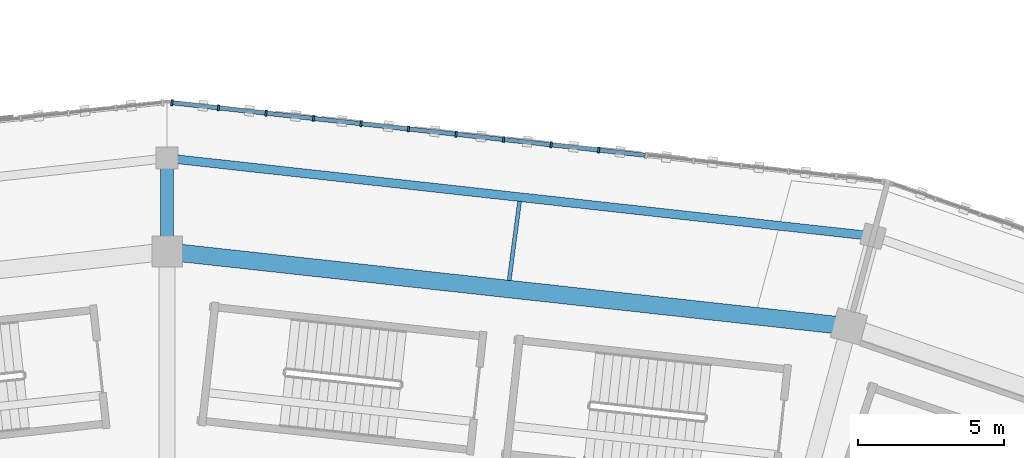
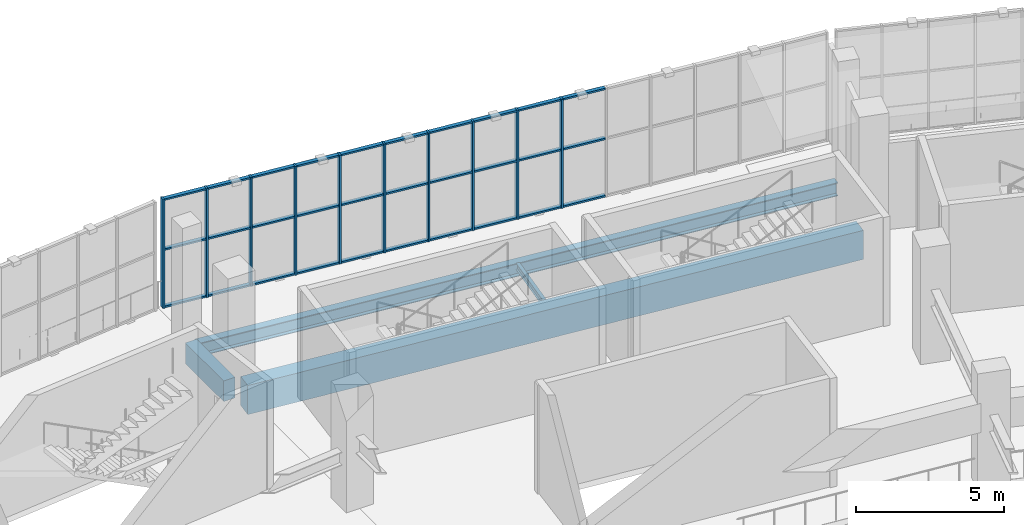
# One storey, part 62 of 179: 40 members, 4 beams, 1 element without a shape of its own.
"""IFC4 building model written with IfcOpenShell, lengths in metres."""

from ifc_helpers import new_model, si_unit, direction, frame, origin, origin_2d, place, context, subcontext, project, spatial, rectangle, i_section, extrude, material, material_profile, profile_set, type_object, element, aggregate, save


model = new_model("IFC4")

# Units and contexts
model_context = context("Model", 3, precision=1e-05, world=origin(), true_north=direction((0.0, 1.0)))
body_context = subcontext(model_context, "Body", "Model", "MODEL_VIEW")
ifc_project = project(units=[si_unit("LENGTHUNIT", "METRE"), si_unit("AREAUNIT", "SQUARE_METRE"), si_unit("VOLUMEUNIT", "CUBIC_METRE"), si_unit("PLANEANGLEUNIT", "RADIAN"), si_unit("MASSUNIT", "GRAM", prefix="KILO")], contexts=[model_context])

# Site, building, storey
site_placement = place(None, origin())
site = spatial("IfcSite", under=ifc_project, at=site_placement, CompositionType="ELEMENT")
building_placement = place(site_placement, origin())
building = spatial("IfcBuilding", under=site, at=building_placement, Name="Zevraka Park Crest Stadium", CompositionType="ELEMENT")
storey_placement = place(building_placement, frame((0.0, 0.0, 10.199951171875)))
storey = spatial("IfcBuildingStorey", under=building, at=storey_placement, Name="L02", CompositionType="ELEMENT", Elevation=10.199951171875)

# Beam
ifc_material_1 = material(Name="Concrete C40/50", Category="concrete")
ifc_material_profile_1 = material_profile(ifc_material_1, rectangle(XDim=0.449951171875, YDim=0.85009765625, at=origin_2d()), Name="RC 850x450")
ifc_profile_set_1 = profile_set([ifc_material_profile_1], Name="Concrete C40/50")
beam_type_1 = type_object("IfcBeamType", Name="BG03", PredefinedType="BEAM", material=ifc_profile_set_1)
beam_1_placement = place(storey_placement, frame((112.0, 167.60009765625, -0.43505859375), z_axis=(0.0, 1.0, 0.0), x_axis=(-1.0, 0.0, 0.0)))
element("IfcBeam", 1, at=beam_1_placement, inside=storey, type_object=beam_type_1, Name="Radial Girder BG03 L02-DE-06", PredefinedType="BEAM", context=body_context, shape_type="SweptSolid", body=[
    extrude(rectangle(XDim=0.449951171875, YDim=0.85009765625, at=origin_2d()), origin(), (0.0, 0.0, 1.0), 2.599853515625),
])

# Curtain wall, members
ifc_material_2 = material(Name="Anodised architectural aluminium and laminated safety glass", Category="aluminium")
curtain_wall_type = type_object("IfcCurtainWallType", Name="CW06", PredefinedType="NOTDEFINED", material=ifc_material_2)
curtain_wall_placement = place(storey_placement, origin())
curtain_wall = element("IfcCurtainWall", 2, at=curtain_wall_placement, inside=storey, type_object=curtain_wall_type, Name="Unitised Ring Curtain Wall CW06 L02-05", PredefinedType="NOTDEFINED")
ifc_material_3 = material(Name="Anodised architectural aluminium", Category="aluminium")
ifc_material_profile_2 = material_profile(ifc_material_3, rectangle(XDim=0.199951171875, YDim=0.070068359375, at=origin_2d()), Name="ALU MULLION 200x70")
ifc_profile_set_2 = profile_set([ifc_material_profile_2], Name="Anodised architectural aluminium")
member_type_1 = type_object("IfcMemberType", Name="CM03", PredefinedType="MULLION", material=ifc_profile_set_2)
member_1_placement = place(storey_placement, frame((126.79345703125, 170.77783203125, 0.0), z_axis=(0.0, 0.0, 1.0), x_axis=(-0.110293152687, -0.993899099743, 0.0)))
member_1 = element("IfcMember", 3, at=member_1_placement, type_object=member_type_1, Name="CW06 mullion 7", PredefinedType="MULLION", context=body_context, shape_type="SweptSolid", body=[
    extrude(rectangle(XDim=0.199951171875, YDim=0.070068359375, at=origin_2d()), origin(), (0.0, 0.0, 1.0), 4.5),
])
member_2_placement = place(storey_placement, frame((125.1640625, 170.95849609375, 0.0), z_axis=(0.0, 0.0, 1.0), x_axis=(-0.110293152687, -0.993899099743, 0.0)))
member_2 = element("IfcMember", 4, at=member_2_placement, type_object=member_type_1, Name="CW06 mullion 8", PredefinedType="MULLION", context=body_context, shape_type="SweptSolid", body=[
    extrude(rectangle(XDim=0.199951171875, YDim=0.070068359375, at=origin_2d()), origin(), (0.0, 0.0, 1.0), 4.5),
])
member_3_placement = place(storey_placement, frame((123.534912109375, 171.139404296875, 0.0), z_axis=(0.0, 0.0, 1.0), x_axis=(-0.110293152687, -0.993899099743, 0.0)))
member_3 = element("IfcMember", 5, at=member_3_placement, type_object=member_type_1, Name="CW06 mullion 9", PredefinedType="MULLION", context=body_context, shape_type="SweptSolid", body=[
    extrude(rectangle(XDim=0.199951171875, YDim=0.070068359375, at=origin_2d()), origin(), (0.0, 0.0, 1.0), 4.5),
])
member_4_placement = place(storey_placement, frame((121.905517578125, 171.3203125, 0.0), z_axis=(0.0, 0.0, 1.0), x_axis=(-0.110293152687, -0.993899099743, 0.0)))
member_4 = element("IfcMember", 6, at=member_4_placement, type_object=member_type_1, Name="CW06 mullion 10", PredefinedType="MULLION", context=body_context, shape_type="SweptSolid", body=[
    extrude(rectangle(XDim=0.199951171875, YDim=0.070068359375, at=origin_2d()), origin(), (0.0, 0.0, 1.0), 4.5),
])
member_5_placement = place(storey_placement, frame((120.2763671875, 171.5009765625, 0.0), z_axis=(0.0, 0.0, 1.0), x_axis=(-0.110293152687, -0.993899099743, 0.0)))
member_5 = element("IfcMember", 7, at=member_5_placement, type_object=member_type_1, Name="CW06 mullion 11", PredefinedType="MULLION", context=body_context, shape_type="SweptSolid", body=[
    extrude(rectangle(XDim=0.199951171875, YDim=0.070068359375, at=origin_2d()), origin(), (0.0, 0.0, 1.0), 4.5),
])
member_6_placement = place(storey_placement, frame((118.64697265625, 171.681884765625, 0.0), z_axis=(0.0, 0.0, 1.0), x_axis=(-0.110293152687, -0.993899099743, 0.0)))
member_6 = element("IfcMember", 8, at=member_6_placement, type_object=member_type_1, Name="CW06 mullion 12", PredefinedType="MULLION", context=body_context, shape_type="SweptSolid", body=[
    extrude(rectangle(XDim=0.199951171875, YDim=0.070068359375, at=origin_2d()), origin(), (0.0, 0.0, 1.0), 4.5),
])
member_7_placement = place(storey_placement, frame((117.017822265625, 171.862548828125, 0.0), z_axis=(0.0, 0.0, 1.0), x_axis=(-0.110293152687, -0.993899099743, 0.0)))
member_7 = element("IfcMember", 9, at=member_7_placement, type_object=member_type_1, Name="CW06 mullion 13", PredefinedType="MULLION", context=body_context, shape_type="SweptSolid", body=[
    extrude(rectangle(XDim=0.199951171875, YDim=0.070068359375, at=origin_2d()), origin(), (0.0, 0.0, 1.0), 4.5),
])
member_8_placement = place(storey_placement, frame((115.388427734375, 172.04345703125, 0.0), z_axis=(0.0, 0.0, 1.0), x_axis=(-0.110293152687, -0.993899099743, 0.0)))
member_8 = element("IfcMember", 10, at=member_8_placement, type_object=member_type_1, Name="CW06 mullion 14", PredefinedType="MULLION", context=body_context, shape_type="SweptSolid", body=[
    extrude(rectangle(XDim=0.199951171875, YDim=0.070068359375, at=origin_2d()), origin(), (0.0, 0.0, 1.0), 4.5),
])
member_9_placement = place(storey_placement, frame((113.75927734375, 172.22412109375, 0.0), z_axis=(0.0, 0.0, 1.0), x_axis=(-0.110293152687, -0.993899099743, 0.0)))
member_9 = element("IfcMember", 11, at=member_9_placement, type_object=member_type_1, Name="CW06 mullion 15", PredefinedType="MULLION", context=body_context, shape_type="SweptSolid", body=[
    extrude(rectangle(XDim=0.199951171875, YDim=0.070068359375, at=origin_2d()), origin(), (0.0, 0.0, 1.0), 4.5),
])
member_10_placement = place(storey_placement, frame((112.164794921875, 172.401123046875, 0.0), z_axis=(0.0, 0.0, 1.0), x_axis=(-0.110293152687, -0.993899099743, 0.0)))
member_10 = element("IfcMember", 12, at=member_10_placement, type_object=member_type_1, Name="CW06 mullion 16", PredefinedType="MULLION", context=body_context, shape_type="SweptSolid", body=[
    extrude(rectangle(XDim=0.199951171875, YDim=0.070068359375, at=origin_2d()), origin(), (0.0, 0.0, 1.0), 4.5),
])
ifc_material_4 = material(Name="Anodised architectural aluminium", Category="aluminium")
ifc_material_profile_3 = material_profile(ifc_material_4, rectangle(XDim=0.14990234375, YDim=0.070068359375, at=origin_2d()), Name="ALU TRANSOM 150x70")
ifc_profile_set_3 = profile_set([ifc_material_profile_3], Name="Anodised architectural aluminium")
member_type_2 = type_object("IfcMemberType", Name="CT03", PredefinedType="USERDEFINED", material=ifc_profile_set_3)
member_11_placement = place(storey_placement, frame((128.387939453125, 170.600830078125, 0.03515625), z_axis=(-0.993898902271, 0.110294932182, 0.0), x_axis=(-0.110294932182, -0.993898902271, 0.0)))
member_11 = element("IfcMember", 13, at=member_11_placement, type_object=member_type_2, Name="CW06 transom 6.1", ObjectType="TRANSOM", PredefinedType="USERDEFINED", context=body_context, shape_type="SweptSolid", body=[
    extrude(rectangle(XDim=0.14990234375, YDim=0.070068359375, at=origin_2d()), origin(), (0.0, 0.0, 1.0), 1.5693359375),
])
member_12_placement = place(storey_placement, frame((128.387939453125, 170.600830078125, 2.400146484375), z_axis=(-0.993898902271, 0.110294932182, 0.0), x_axis=(-0.110294932182, -0.993898902271, 0.0)))
member_12 = element("IfcMember", 14, at=member_12_placement, type_object=member_type_2, Name="CW06 transom 6.2", ObjectType="TRANSOM", PredefinedType="USERDEFINED", context=body_context, shape_type="SweptSolid", body=[
    extrude(rectangle(XDim=0.14990234375, YDim=0.070068359375, at=origin_2d()), origin(), (0.0, 0.0, 1.0), 1.5693359375),
])
member_13_placement = place(storey_placement, frame((128.387939453125, 170.600830078125, 4.465087890625), z_axis=(-0.993898902271, 0.110294932182, 0.0), x_axis=(-0.110294932182, -0.993898902271, 0.0)))
member_13 = element("IfcMember", 15, at=member_13_placement, type_object=member_type_2, Name="CW06 transom 6.3", ObjectType="TRANSOM", PredefinedType="USERDEFINED", context=body_context, shape_type="SweptSolid", body=[
    extrude(rectangle(XDim=0.14990234375, YDim=0.070068359375, at=origin_2d()), origin(), (0.0, 0.0, 1.0), 1.5693359375),
])
member_14_placement = place(storey_placement, frame((126.758544921875, 170.78173828125, 0.03515625), z_axis=(-0.993897009399, 0.11031198805, 0.0), x_axis=(-0.11031198805, -0.993897009399, 0.0)))
member_14 = element("IfcMember", 16, at=member_14_placement, type_object=member_type_2, Name="CW06 transom 7.1", ObjectType="TRANSOM", PredefinedType="USERDEFINED", context=body_context, shape_type="SweptSolid", body=[
    extrude(rectangle(XDim=0.14990234375, YDim=0.070068359375, at=origin_2d()), origin(), (0.0, 0.0, 1.0), 1.569091796875),
])
member_15_placement = place(storey_placement, frame((126.758544921875, 170.78173828125, 2.400146484375), z_axis=(-0.993897009399, 0.11031198805, 0.0), x_axis=(-0.11031198805, -0.993897009399, 0.0)))
member_15 = element("IfcMember", 17, at=member_15_placement, type_object=member_type_2, Name="CW06 transom 7.2", ObjectType="TRANSOM", PredefinedType="USERDEFINED", context=body_context, shape_type="SweptSolid", body=[
    extrude(rectangle(XDim=0.14990234375, YDim=0.070068359375, at=origin_2d()), origin(), (0.0, 0.0, 1.0), 1.569091796875),
])
member_16_placement = place(storey_placement, frame((126.758544921875, 170.78173828125, 4.465087890625), z_axis=(-0.993897009399, 0.11031198805, 0.0), x_axis=(-0.11031198805, -0.993897009399, 0.0)))
member_16 = element("IfcMember", 18, at=member_16_placement, type_object=member_type_2, Name="CW06 transom 7.3", ObjectType="TRANSOM", PredefinedType="USERDEFINED", context=body_context, shape_type="SweptSolid", body=[
    extrude(rectangle(XDim=0.14990234375, YDim=0.070068359375, at=origin_2d()), origin(), (0.0, 0.0, 1.0), 1.569091796875),
])
member_17_placement = place(storey_placement, frame((125.12939453125, 170.96240234375, 0.03515625), z_axis=(-0.993898902271, 0.110294932182, 0.0), x_axis=(-0.110294932182, -0.993898902271, 0.0)))
member_17 = element("IfcMember", 19, at=member_17_placement, type_object=member_type_2, Name="CW06 transom 8.1", ObjectType="TRANSOM", PredefinedType="USERDEFINED", context=body_context, shape_type="SweptSolid", body=[
    extrude(rectangle(XDim=0.14990234375, YDim=0.070068359375, at=origin_2d()), origin(), (0.0, 0.0, 1.0), 1.5693359375),
])
member_18_placement = place(storey_placement, frame((125.12939453125, 170.96240234375, 2.400146484375), z_axis=(-0.993898902271, 0.110294932182, 0.0), x_axis=(-0.110294932182, -0.993898902271, 0.0)))
member_18 = element("IfcMember", 20, at=member_18_placement, type_object=member_type_2, Name="CW06 transom 8.2", ObjectType="TRANSOM", PredefinedType="USERDEFINED", context=body_context, shape_type="SweptSolid", body=[
    extrude(rectangle(XDim=0.14990234375, YDim=0.070068359375, at=origin_2d()), origin(), (0.0, 0.0, 1.0), 1.5693359375),
])
member_19_placement = place(storey_placement, frame((125.12939453125, 170.96240234375, 4.465087890625), z_axis=(-0.993898902271, 0.110294932182, 0.0), x_axis=(-0.110294932182, -0.993898902271, 0.0)))
member_19 = element("IfcMember", 21, at=member_19_placement, type_object=member_type_2, Name="CW06 transom 8.3", ObjectType="TRANSOM", PredefinedType="USERDEFINED", context=body_context, shape_type="SweptSolid", body=[
    extrude(rectangle(XDim=0.14990234375, YDim=0.070068359375, at=origin_2d()), origin(), (0.0, 0.0, 1.0), 1.5693359375),
])
member_20_placement = place(storey_placement, frame((123.5, 171.143310546875, 0.03515625), z_axis=(-0.993897009399, 0.11031198805, 0.0), x_axis=(-0.11031198805, -0.993897009399, 0.0)))
member_20 = element("IfcMember", 22, at=member_20_placement, type_object=member_type_2, Name="CW06 transom 9.1", ObjectType="TRANSOM", PredefinedType="USERDEFINED", context=body_context, shape_type="SweptSolid", body=[
    extrude(rectangle(XDim=0.14990234375, YDim=0.070068359375, at=origin_2d()), origin(), (0.0, 0.0, 1.0), 1.569091796875),
])
member_21_placement = place(storey_placement, frame((123.5, 171.143310546875, 2.400146484375), z_axis=(-0.993897009399, 0.11031198805, 0.0), x_axis=(-0.11031198805, -0.993897009399, 0.0)))
member_21 = element("IfcMember", 23, at=member_21_placement, type_object=member_type_2, Name="CW06 transom 9.2", ObjectType="TRANSOM", PredefinedType="USERDEFINED", context=body_context, shape_type="SweptSolid", body=[
    extrude(rectangle(XDim=0.14990234375, YDim=0.070068359375, at=origin_2d()), origin(), (0.0, 0.0, 1.0), 1.569091796875),
])
member_22_placement = place(storey_placement, frame((123.5, 171.143310546875, 4.465087890625), z_axis=(-0.993897009399, 0.11031198805, 0.0), x_axis=(-0.11031198805, -0.993897009399, 0.0)))
member_22 = element("IfcMember", 24, at=member_22_placement, type_object=member_type_2, Name="CW06 transom 9.3", ObjectType="TRANSOM", PredefinedType="USERDEFINED", context=body_context, shape_type="SweptSolid", body=[
    extrude(rectangle(XDim=0.14990234375, YDim=0.070068359375, at=origin_2d()), origin(), (0.0, 0.0, 1.0), 1.569091796875),
])
member_23_placement = place(storey_placement, frame((121.870849609375, 171.323974609375, 0.03515625), z_axis=(-0.993898902271, 0.110294932182, 0.0), x_axis=(-0.110294932182, -0.993898902271, 0.0)))
member_23 = element("IfcMember", 25, at=member_23_placement, type_object=member_type_2, Name="CW06 transom 10.1", ObjectType="TRANSOM", PredefinedType="USERDEFINED", context=body_context, shape_type="SweptSolid", body=[
    extrude(rectangle(XDim=0.14990234375, YDim=0.070068359375, at=origin_2d()), origin(), (0.0, 0.0, 1.0), 1.5693359375),
])
member_24_placement = place(storey_placement, frame((121.870849609375, 171.323974609375, 2.400146484375), z_axis=(-0.993898902271, 0.110294932182, 0.0), x_axis=(-0.110294932182, -0.993898902271, 0.0)))
member_24 = element("IfcMember", 26, at=member_24_placement, type_object=member_type_2, Name="CW06 transom 10.2", ObjectType="TRANSOM", PredefinedType="USERDEFINED", context=body_context, shape_type="SweptSolid", body=[
    extrude(rectangle(XDim=0.14990234375, YDim=0.070068359375, at=origin_2d()), origin(), (0.0, 0.0, 1.0), 1.5693359375),
])
member_25_placement = place(storey_placement, frame((121.870849609375, 171.323974609375, 4.465087890625), z_axis=(-0.993898902271, 0.110294932182, 0.0), x_axis=(-0.110294932182, -0.993898902271, 0.0)))
member_25 = element("IfcMember", 27, at=member_25_placement, type_object=member_type_2, Name="CW06 transom 10.3", ObjectType="TRANSOM", PredefinedType="USERDEFINED", context=body_context, shape_type="SweptSolid", body=[
    extrude(rectangle(XDim=0.14990234375, YDim=0.070068359375, at=origin_2d()), origin(), (0.0, 0.0, 1.0), 1.5693359375),
])
member_26_placement = place(storey_placement, frame((120.241455078125, 171.5048828125, 0.03515625), z_axis=(-0.993897009399, 0.11031198805, 0.0), x_axis=(-0.11031198805, -0.993897009399, 0.0)))
member_26 = element("IfcMember", 28, at=member_26_placement, type_object=member_type_2, Name="CW06 transom 11.1", ObjectType="TRANSOM", PredefinedType="USERDEFINED", context=body_context, shape_type="SweptSolid", body=[
    extrude(rectangle(XDim=0.14990234375, YDim=0.070068359375, at=origin_2d()), origin(), (0.0, 0.0, 1.0), 1.569091796875),
])
member_27_placement = place(storey_placement, frame((120.241455078125, 171.5048828125, 2.400146484375), z_axis=(-0.993897009399, 0.11031198805, 0.0), x_axis=(-0.11031198805, -0.993897009399, 0.0)))
member_27 = element("IfcMember", 29, at=member_27_placement, type_object=member_type_2, Name="CW06 transom 11.2", ObjectType="TRANSOM", PredefinedType="USERDEFINED", context=body_context, shape_type="SweptSolid", body=[
    extrude(rectangle(XDim=0.14990234375, YDim=0.070068359375, at=origin_2d()), origin(), (0.0, 0.0, 1.0), 1.569091796875),
])
member_28_placement = place(storey_placement, frame((120.241455078125, 171.5048828125, 4.465087890625), z_axis=(-0.993897009399, 0.11031198805, 0.0), x_axis=(-0.11031198805, -0.993897009399, 0.0)))
member_28 = element("IfcMember", 30, at=member_28_placement, type_object=member_type_2, Name="CW06 transom 11.3", ObjectType="TRANSOM", PredefinedType="USERDEFINED", context=body_context, shape_type="SweptSolid", body=[
    extrude(rectangle(XDim=0.14990234375, YDim=0.070068359375, at=origin_2d()), origin(), (0.0, 0.0, 1.0), 1.569091796875),
])
member_29_placement = place(storey_placement, frame((118.6123046875, 171.685546875, 0.03515625), z_axis=(-0.993898902271, 0.110294932182, 0.0), x_axis=(-0.110294932182, -0.993898902271, 0.0)))
member_29 = element("IfcMember", 31, at=member_29_placement, type_object=member_type_2, Name="CW06 transom 12.1", ObjectType="TRANSOM", PredefinedType="USERDEFINED", context=body_context, shape_type="SweptSolid", body=[
    extrude(rectangle(XDim=0.14990234375, YDim=0.070068359375, at=origin_2d()), origin(), (0.0, 0.0, 1.0), 1.5693359375),
])
member_30_placement = place(storey_placement, frame((118.6123046875, 171.685546875, 2.400146484375), z_axis=(-0.993898902271, 0.110294932182, 0.0), x_axis=(-0.110294932182, -0.993898902271, 0.0)))
member_30 = element("IfcMember", 32, at=member_30_placement, type_object=member_type_2, Name="CW06 transom 12.2", ObjectType="TRANSOM", PredefinedType="USERDEFINED", context=body_context, shape_type="SweptSolid", body=[
    extrude(rectangle(XDim=0.14990234375, YDim=0.070068359375, at=origin_2d()), origin(), (0.0, 0.0, 1.0), 1.5693359375),
])
member_31_placement = place(storey_placement, frame((118.6123046875, 171.685546875, 4.465087890625), z_axis=(-0.993898902271, 0.110294932182, 0.0), x_axis=(-0.110294932182, -0.993898902271, 0.0)))
member_31 = element("IfcMember", 33, at=member_31_placement, type_object=member_type_2, Name="CW06 transom 12.3", ObjectType="TRANSOM", PredefinedType="USERDEFINED", context=body_context, shape_type="SweptSolid", body=[
    extrude(rectangle(XDim=0.14990234375, YDim=0.070068359375, at=origin_2d()), origin(), (0.0, 0.0, 1.0), 1.5693359375),
])
member_32_placement = place(storey_placement, frame((116.98291015625, 171.866455078125, 0.03515625), z_axis=(-0.993897009399, 0.11031198805, 0.0), x_axis=(-0.11031198805, -0.993897009399, 0.0)))
member_32 = element("IfcMember", 34, at=member_32_placement, type_object=member_type_2, Name="CW06 transom 13.1", ObjectType="TRANSOM", PredefinedType="USERDEFINED", context=body_context, shape_type="SweptSolid", body=[
    extrude(rectangle(XDim=0.14990234375, YDim=0.070068359375, at=origin_2d()), origin(), (0.0, 0.0, 1.0), 1.569091796875),
])
member_33_placement = place(storey_placement, frame((116.98291015625, 171.866455078125, 2.400146484375), z_axis=(-0.993897009399, 0.11031198805, 0.0), x_axis=(-0.11031198805, -0.993897009399, 0.0)))
member_33 = element("IfcMember", 35, at=member_33_placement, type_object=member_type_2, Name="CW06 transom 13.2", ObjectType="TRANSOM", PredefinedType="USERDEFINED", context=body_context, shape_type="SweptSolid", body=[
    extrude(rectangle(XDim=0.14990234375, YDim=0.070068359375, at=origin_2d()), origin(), (0.0, 0.0, 1.0), 1.569091796875),
])
member_34_placement = place(storey_placement, frame((116.98291015625, 171.866455078125, 4.465087890625), z_axis=(-0.993897009399, 0.11031198805, 0.0), x_axis=(-0.11031198805, -0.993897009399, 0.0)))
member_34 = element("IfcMember", 36, at=member_34_placement, type_object=member_type_2, Name="CW06 transom 13.3", ObjectType="TRANSOM", PredefinedType="USERDEFINED", context=body_context, shape_type="SweptSolid", body=[
    extrude(rectangle(XDim=0.14990234375, YDim=0.070068359375, at=origin_2d()), origin(), (0.0, 0.0, 1.0), 1.569091796875),
])
member_35_placement = place(storey_placement, frame((115.353759765625, 172.04736328125, 0.03515625), z_axis=(-0.993898902271, 0.110294932182, 0.0), x_axis=(-0.110294932182, -0.993898902271, 0.0)))
member_35 = element("IfcMember", 37, at=member_35_placement, type_object=member_type_2, Name="CW06 transom 14.1", ObjectType="TRANSOM", PredefinedType="USERDEFINED", context=body_context, shape_type="SweptSolid", body=[
    extrude(rectangle(XDim=0.14990234375, YDim=0.070068359375, at=origin_2d()), origin(), (0.0, 0.0, 1.0), 1.5693359375),
])
member_36_placement = place(storey_placement, frame((115.353759765625, 172.04736328125, 2.400146484375), z_axis=(-0.993898902271, 0.110294932182, 0.0), x_axis=(-0.110294932182, -0.993898902271, 0.0)))
member_36 = element("IfcMember", 38, at=member_36_placement, type_object=member_type_2, Name="CW06 transom 14.2", ObjectType="TRANSOM", PredefinedType="USERDEFINED", context=body_context, shape_type="SweptSolid", body=[
    extrude(rectangle(XDim=0.14990234375, YDim=0.070068359375, at=origin_2d()), origin(), (0.0, 0.0, 1.0), 1.5693359375),
])
member_37_placement = place(storey_placement, frame((115.353759765625, 172.04736328125, 4.465087890625), z_axis=(-0.993898902271, 0.110294932182, 0.0), x_axis=(-0.110294932182, -0.993898902271, 0.0)))
member_37 = element("IfcMember", 39, at=member_37_placement, type_object=member_type_2, Name="CW06 transom 14.3", ObjectType="TRANSOM", PredefinedType="USERDEFINED", context=body_context, shape_type="SweptSolid", body=[
    extrude(rectangle(XDim=0.14990234375, YDim=0.070068359375, at=origin_2d()), origin(), (0.0, 0.0, 1.0), 1.5693359375),
])
member_38_placement = place(storey_placement, frame((113.724365234375, 172.22802734375, 0.03515625), z_axis=(-0.993901187296, 0.110274339224, 0.0), x_axis=(-0.110274339224, -0.993901187296, 0.0)))
member_38 = element("IfcMember", 40, at=member_38_placement, type_object=member_type_2, Name="CW06 transom 15.1", ObjectType="TRANSOM", PredefinedType="USERDEFINED", context=body_context, shape_type="SweptSolid", body=[
    extrude(rectangle(XDim=0.14990234375, YDim=0.070068359375, at=origin_2d()), origin(), (0.0, 0.0, 1.0), 1.5341796875),
])
member_39_placement = place(storey_placement, frame((113.724365234375, 172.22802734375, 2.400146484375), z_axis=(-0.993901187296, 0.110274339224, 0.0), x_axis=(-0.110274339224, -0.993901187296, 0.0)))
member_39 = element("IfcMember", 41, at=member_39_placement, type_object=member_type_2, Name="CW06 transom 15.2", ObjectType="TRANSOM", PredefinedType="USERDEFINED", context=body_context, shape_type="SweptSolid", body=[
    extrude(rectangle(XDim=0.14990234375, YDim=0.070068359375, at=origin_2d()), origin(), (0.0, 0.0, 1.0), 1.5341796875),
])
member_40_placement = place(storey_placement, frame((113.724365234375, 172.22802734375, 4.465087890625), z_axis=(-0.993901187296, 0.110274339224, 0.0), x_axis=(-0.110274339224, -0.993901187296, 0.0)))
member_40 = element("IfcMember", 42, at=member_40_placement, type_object=member_type_2, Name="CW06 transom 15.3", ObjectType="TRANSOM", PredefinedType="USERDEFINED", context=body_context, shape_type="SweptSolid", body=[
    extrude(rectangle(XDim=0.14990234375, YDim=0.070068359375, at=origin_2d()), origin(), (0.0, 0.0, 1.0), 1.5341796875),
])
aggregate(curtain_wall, [member_1, member_2, member_3, member_4, member_5, member_6, member_7, member_8, member_9, member_10, member_11, member_12, member_13, member_14, member_15, member_16, member_17, member_18, member_19, member_20, member_21, member_22, member_23, member_24, member_25, member_26, member_27, member_28, member_29, member_30, member_31, member_32, member_33, member_34, member_35, member_36, member_37, member_38, member_39, member_40])

# Beams
ifc_material_5 = material(Name="Concrete C40/50", Category="concrete")
ifc_material_profile_4 = material_profile(ifc_material_5, rectangle(XDim=0.60009765625, YDim=1.199951171875, at=origin_2d()), Name="RC 1200x600")
ifc_profile_set_4 = profile_set([ifc_material_profile_4], Name="Concrete C40/50")
beam_type_2 = type_object("IfcBeamType", Name="RB01", PredefinedType="BEAM", material=ifc_profile_set_4)
beam_2_placement = place(storey_placement, frame((134.992919921875, 164.77490234375, -0.60986328125), z_axis=(-0.994021150509, 0.109187693174, 0.0), x_axis=(-0.109187693174, -0.994021150509, 0.0)))
element("IfcBeam", 43, at=beam_2_placement, inside=storey, type_object=beam_type_2, Name="Ring Beam RB01 L02-D-05", PredefinedType="BEAM", context=body_context, shape_type="SweptSolid", body=[
    extrude(rectangle(XDim=0.60009765625, YDim=1.199951171875, at=origin_2d()), origin(), (0.0, 0.0, 1.0), 22.7509765625),
])
ifc_material_6 = material(Name="Steel S355", Category="steel")
ifc_material_profile_5 = material_profile(ifc_material_6, i_section(OverallWidth=0.300048828125, OverallDepth=0.550048828125, WebThickness=0.014892578125, FlangeThickness=0.029052734375, at=origin_2d()), Name="HEB 550")
ifc_profile_set_5 = profile_set([ifc_material_profile_5], Name="Steel S355")
beam_type_3 = type_object("IfcBeamType", Name="RB04", PredefinedType="BEAM", material=ifc_profile_set_5)
beam_3_placement = place(storey_placement, frame((135.85205078125, 167.863037109375, -0.5849609375), z_axis=(-0.993942516724, 0.109901198576, 0.0), x_axis=(-0.109901198576, -0.993942516724, 0.0)))
element("IfcBeam", 44, at=beam_3_placement, inside=storey, type_object=beam_type_3, Name="Ring Beam RB04 L02-E-05", PredefinedType="BEAM", context=body_context, shape_type="SweptSolid", body=[
    extrude(i_section(OverallWidth=0.300048828125, OverallDepth=0.550048828125, WebThickness=0.014892578125, FlangeThickness=0.029052734375, at=origin_2d()), origin(), (0.0, 0.0, 1.0), 23.6474609375),
])
ifc_material_7 = material(Name="Steel S355", Category="steel")
ifc_material_profile_6 = material_profile(ifc_material_7, i_section(OverallWidth=0.135009765625, OverallDepth=0.27001953125, WebThickness=0.006591796875, FlangeThickness=0.01025390625, at=origin_2d()), Name="IPE 270")
ifc_profile_set_6 = profile_set([ifc_material_profile_6], Name="Steel S355")
beam_type_4 = type_object("IfcBeamType", Name="SJ07", PredefinedType="JOIST", material=ifc_profile_set_6)
beam_4_placement = place(storey_placement, frame((123.72412109375, 166.30908203125, -0.4228515625), z_axis=(0.13058389889, 0.991437262438, 0.0), x_axis=(-0.991437262438, 0.13058389889, 0.0)))
element("IfcBeam", 45, at=beam_4_placement, inside=storey, type_object=beam_type_4, Name="Floor Joist SJ07 L02-DE-05-1", PredefinedType="JOIST", context=body_context, shape_type="SweptSolid", body=[
    extrude(i_section(OverallWidth=0.135009765625, OverallDepth=0.27001953125, WebThickness=0.006591796875, FlangeThickness=0.01025390625, at=origin_2d()), origin(), (0.0, 0.0, 1.0), 2.7333984375),
])

save(model, "model.ifc")
